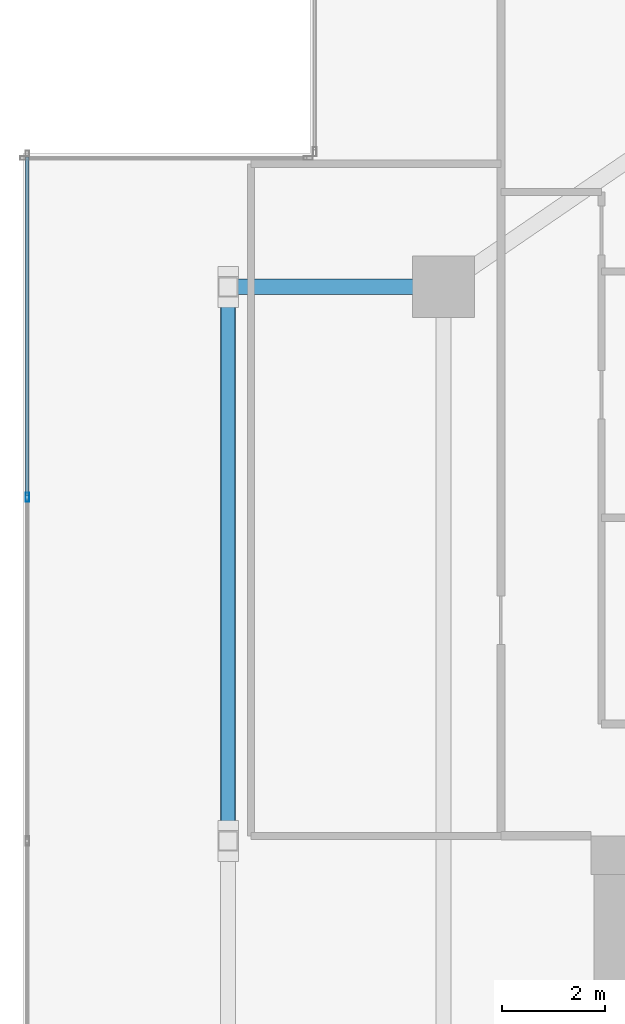
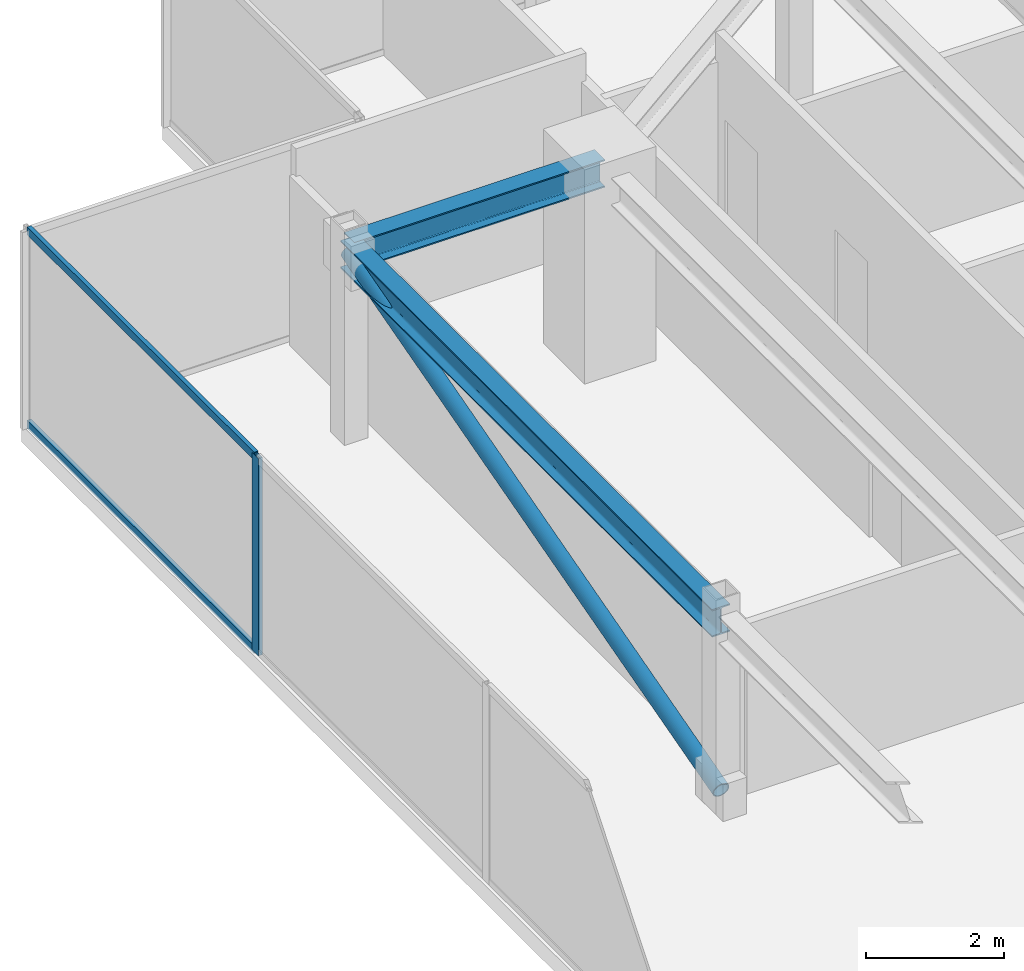
# One storey, part 10 of 25: 4 members, 2 beams, 1 element without a shape of its own.
"""IFC4 building model written with IfcOpenShell, lengths in metres."""

from ifc_helpers import new_model, si_unit, direction, frame, origin, origin_2d, place, context, subcontext, project, spatial, hollow_rectangle, hollow_circle, i_section, extrude, source, transform, mapped, material, material_profile, profile_set, type_object, type_shapes, element, aggregate, save


model = new_model("IFC4")

# Units and contexts
model_context = context("Model", 3, precision=1e-05, world=origin(), true_north=direction((0.0, 1.0)))
body_context = subcontext(model_context, "Body", "Model", "MODEL_VIEW")
ifc_project = project(units=[si_unit("LENGTHUNIT", "METRE"), si_unit("AREAUNIT", "SQUARE_METRE"), si_unit("VOLUMEUNIT", "CUBIC_METRE"), si_unit("PLANEANGLEUNIT", "RADIAN"), si_unit("MASSUNIT", "GRAM", prefix="KILO")], contexts=[model_context])

# Site, building, storey
site_placement = place(None, origin())
site = spatial("IfcSite", under=ifc_project, at=site_placement, CompositionType="ELEMENT")
building_placement = place(site_placement, origin())
building = spatial("IfcBuilding", under=site, at=building_placement, Name="Krantzveldt Concourse Tower", CompositionType="ELEMENT")
storey_placement = place(building_placement, frame((0.0, 0.0, 367.050048828125)))
storey = spatial("IfcBuildingStorey", under=building, at=storey_placement, Name="L90", CompositionType="ELEMENT", Elevation=367.050048828125)

# Beams
ifc_material_1 = material(Name="Steel S355JR", Category="steel")
ifc_material_profile_1 = material_profile(ifc_material_1, i_section(OverallWidth=0.300048828125, OverallDepth=0.489990234375, WebThickness=0.011962890625, FlangeThickness=0.02294921875, FilletRadius=0.027099609375, at=origin_2d()), Name="Steel S355JR", Category="steel")
ifc_profile_set_1 = profile_set([ifc_material_profile_1], Name="Steel S355JR - HEA 500")
beam_type = type_object("IfcBeamType", Name="BM-B-HEA500", PredefinedType="BEAM", material=ifc_profile_set_1)
shared_shape_1 = source(origin(), body_context, "Body", "SweptSolid", [
    extrude(i_section(OverallWidth=0.300048828125, OverallDepth=0.489990234375, WebThickness=0.011962890625, FlangeThickness=0.02294921875, FilletRadius=0.027099609375, at=origin_2d()), origin(), (0.0, 0.0, 1.0), 4.199951171875),
])
beam_1_placement = place(storey_placement, frame((21.0, 37.5, 3.2548828125), z_axis=(1.0, 0.0, 0.0), x_axis=(0.0, 1.0, 0.0)))
element("IfcBeam", 1, at=beam_1_placement, inside=storey, type_object=beam_type, Name="L90 Crown Girder WEST-3", PredefinedType="BEAM", context=body_context, shape_type="MappedRepresentation", body=[
    mapped(shared_shape_1, transform((0.0, 0.0, 0.0), x_axis=(1.0, 0.0, 0.0), y_axis=(0.0, 1.0, 0.0), z_axis=(0.0, 0.0, 1.0), scale=1.0)),
])
shared_shape_2 = source(origin(), body_context, "Body", "SweptSolid", [
    extrude(i_section(OverallWidth=0.300048828125, OverallDepth=0.489990234375, WebThickness=0.011962890625, FlangeThickness=0.02294921875, FilletRadius=0.027099609375, at=origin_2d()), origin(), (0.0, 0.0, 1.0), 10.800048828125),
])
type_shapes(beam_type, [shared_shape_1, shared_shape_2])
beam_2_placement = place(storey_placement, frame((21.0, 26.699951171875, 3.2548828125), z_axis=(0.0, 1.0, 0.0), x_axis=(-1.0, 0.0, 0.0)))
element("IfcBeam", 2, at=beam_2_placement, inside=storey, type_object=beam_type, Name="L90 Crown Girder WEST-2", PredefinedType="BEAM", context=body_context, shape_type="MappedRepresentation", body=[
    mapped(shared_shape_2, transform((0.0, 0.0, 0.0), x_axis=(1.0, 0.0, 0.0), y_axis=(0.0, 1.0, 0.0), z_axis=(0.0, 0.0, 1.0), scale=1.0)),
])

# Member
ifc_material_2 = material(Name="Steel S355J2", Category="steel")
ifc_material_profile_2 = material_profile(ifc_material_2, hollow_circle(Radius=0.136474609375, WallThickness=0.01611328125, at=origin_2d()), Name="Steel S355J2", Category="steel")
ifc_profile_set_2 = profile_set([ifc_material_profile_2], Name="Steel S355J2 - CHS 273x16")
member_type_1 = type_object("IfcMemberType", Name="MB-CB-CHS273", PredefinedType="BRACE", material=ifc_profile_set_2)
shared_shape_3 = source(origin(), body_context, "Body", "SweptSolid", [
    extrude(hollow_circle(Radius=0.136474609375, WallThickness=0.01611328125, at=origin_2d()), origin(), (0.0, 0.0, 1.0), 11.208984375),
])
type_shapes(member_type_1, [shared_shape_3])
member_1_placement = place(storey_placement, frame((21.0, 26.699951171875, 0.25), z_axis=(0.0, 0.963518221675, 0.26764274042), x_axis=(-1.0, 0.0, 0.0)))
element("IfcMember", 3, at=member_1_placement, inside=storey, type_object=member_type_1, Name="Brace Diagonal CBR-L90-WEST", PredefinedType="BRACE", context=body_context, shape_type="MappedRepresentation", body=[
    mapped(shared_shape_3, transform((0.0, 0.0, 0.0), x_axis=(1.0, 0.0, 0.0), y_axis=(0.0, 1.0, 0.0), z_axis=(0.0, 0.0, 1.0), scale=1.0)),
])

# Curtain wall, members
ifc_material_3 = material(Name="Anodised aluminium 6063-T6", Category="aluminium")
curtain_wall_type = type_object("IfcCurtainWallType", Name="CW7", PredefinedType="USERDEFINED", material=ifc_material_3)
curtain_wall_placement = place(storey_placement, origin())
curtain_wall = element("IfcCurtainWall", 4, at=curtain_wall_placement, inside=storey, type_object=curtain_wall_type, Name="CW-L90-WEST-05", ObjectType="UNITISED CURTAIN WALL", PredefinedType="USERDEFINED")
ifc_material_profile_3 = material_profile(ifc_material_3, hollow_rectangle(XDim=0.070068359375, YDim=0.139892578125, WallThickness=0.0048828125, at=origin_2d()), Name="Anodised aluminium 6063-T6", Category="aluminium")
ifc_profile_set_3 = profile_set([ifc_material_profile_3], Name="Anodised aluminium 6063-T6 - ALU-TRAN 140x70x5")
member_type_2 = type_object("IfcMemberType", Name="CW-TRN-150", PredefinedType="USERDEFINED", material=ifc_profile_set_3)
shared_shape_4 = source(origin(), body_context, "Body", "SweptSolid", [
    extrude(hollow_rectangle(XDim=0.070068359375, YDim=0.139892578125, WallThickness=0.0048828125, at=origin_2d()), origin(), (0.0, 0.0, 1.0), 6.594970703125),
])
type_shapes(member_type_2, [shared_shape_4])
member_2_placement = place(storey_placement, frame((17.090087890625, 40.030029296875, 0.034912109375), z_axis=(0.0, -1.0, 0.0), x_axis=(1.0, 0.0, 0.0)))
member_2 = element("IfcMember", 5, at=member_2_placement, type_object=member_type_2, Name="CW-CRN transom 1.1", ObjectType="TRANSOM", PredefinedType="USERDEFINED", context=body_context, shape_type="MappedRepresentation", body=[
    mapped(shared_shape_4, transform((0.0, 0.0, 0.0), x_axis=(1.0, 0.0, 0.0), y_axis=(0.0, 1.0, 0.0), z_axis=(0.0, 0.0, 1.0), scale=1.0)),
])
member_3_placement = place(storey_placement, frame((17.090087890625, 40.030029296875, 3.46484375), z_axis=(0.0, -1.0, 0.0), x_axis=(1.0, 0.0, 0.0)))
member_3 = element("IfcMember", 6, at=member_3_placement, type_object=member_type_2, Name="CW-CRN transom 1.2", ObjectType="TRANSOM", PredefinedType="USERDEFINED", context=body_context, shape_type="MappedRepresentation", body=[
    mapped(shared_shape_4, transform((0.0, 0.0, 0.0), x_axis=(1.0, 0.0, 0.0), y_axis=(0.0, 1.0, 0.0), z_axis=(0.0, 0.0, 1.0), scale=1.0)),
])
ifc_material_profile_4 = material_profile(ifc_material_3, hollow_rectangle(XDim=0.070068359375, YDim=0.179931640625, WallThickness=0.0048828125, at=origin_2d()), Name="Anodised aluminium 6063-T6", Category="aluminium")
ifc_profile_set_4 = profile_set([ifc_material_profile_4], Name="Anodised aluminium 6063-T6 - ALU-MULL 180x70x5")
member_type_3 = type_object("IfcMemberType", Name="CW-MUL-180", PredefinedType="MULLION", material=ifc_profile_set_4)
shared_shape_5 = source(origin(), body_context, "Body", "SweptSolid", [
    extrude(hollow_rectangle(XDim=0.070068359375, YDim=0.179931640625, WallThickness=0.0048828125, at=origin_2d()), origin(), (0.0, 0.0, 1.0), 3.5),
])
type_shapes(member_type_3, [shared_shape_5])
member_4_placement = place(storey_placement, frame((17.090087890625, 33.39990234375, 0.0), z_axis=(0.0, 0.0, 1.0), x_axis=(1.0, 0.0, 0.0)))
member_4 = element("IfcMember", 7, at=member_4_placement, type_object=member_type_3, Name="CW-CRN mullion 2", PredefinedType="MULLION", context=body_context, shape_type="MappedRepresentation", body=[
    mapped(shared_shape_5, transform((0.0, 0.0, 0.0), x_axis=(1.0, 0.0, 0.0), y_axis=(0.0, 1.0, 0.0), z_axis=(0.0, 0.0, 1.0), scale=1.0)),
])
aggregate(curtain_wall, [member_4, member_2, member_3])

save(model, "model.ifc")
